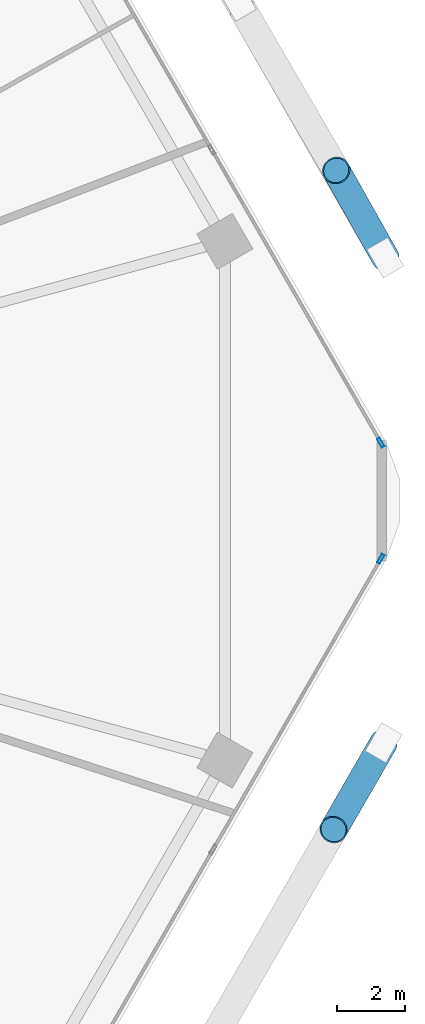
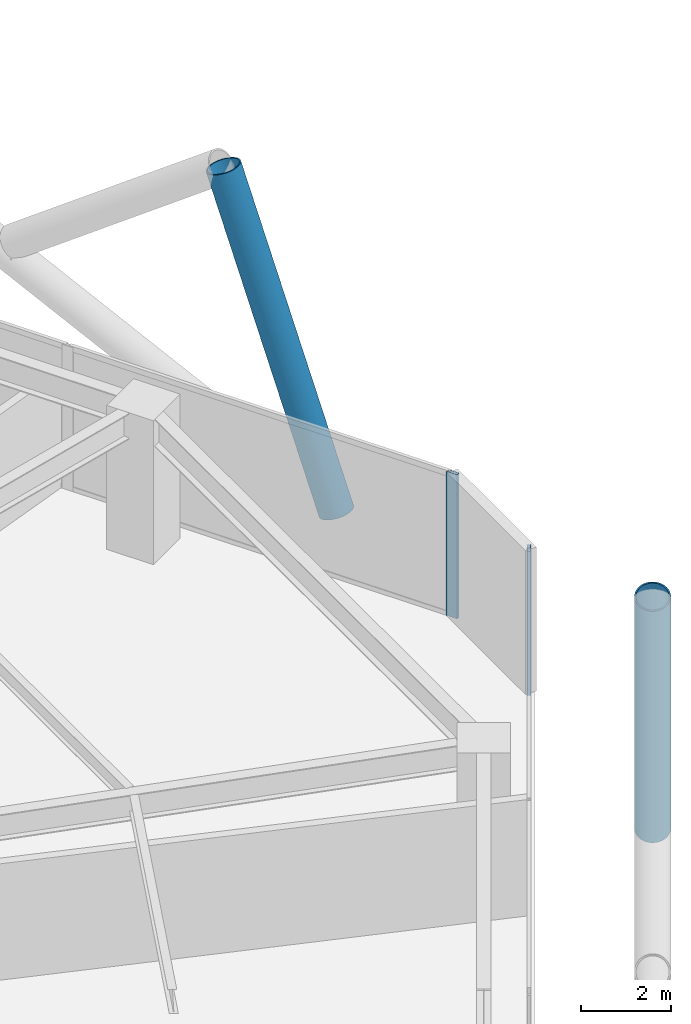
# One storey, part 23 of 28: 4 members, 2 elements without a shape of their own.
"""IFC4 building model written with IfcOpenShell, lengths in metres."""

from ifc_helpers import new_model, si_unit, direction, frame, origin, origin_2d, place, context, subcontext, project, spatial, hollow_rectangle, hollow_circle, extrude, material, material_profile, profile_set, type_object, element, aggregate, save


model = new_model("IFC4")

# Units and contexts
model_context = context("Model", 3, precision=1e-05, world=origin(), true_north=direction((0.0, 1.0)))
body_context = subcontext(model_context, "Body", "Model", "MODEL_VIEW")
ifc_project = project(units=[si_unit("LENGTHUNIT", "METRE"), si_unit("AREAUNIT", "SQUARE_METRE"), si_unit("VOLUMEUNIT", "CUBIC_METRE"), si_unit("PLANEANGLEUNIT", "RADIAN"), si_unit("MASSUNIT", "GRAM", prefix="KILO")], contexts=[model_context])

# Site, building, storey
site_placement = place(None, origin())
site = spatial("IfcSite", under=ifc_project, at=site_placement, CompositionType="ELEMENT")
building_placement = place(site_placement, origin())
building = spatial("IfcBuilding", under=site, at=building_placement, Name="Zuhravey Tower", CompositionType="ELEMENT")
storey_placement = place(building_placement, frame((0.0, 0.0, 24.60009765625)))
storey = spatial("IfcBuildingStorey", under=building, at=storey_placement, Name="L06", CompositionType="ELEMENT", Elevation=24.60009765625)

# Curtain wall, member
ifc_material_1 = material(Name="Thermally broken anodised aluminium", Category="aluminium")
curtain_wall_type = type_object("IfcCurtainWallType", Name="School Low-E Unitised Curtain Wall CW1", PredefinedType="NOTDEFINED", material=ifc_material_1)
curtain_wall_1_placement = place(storey_placement, origin())
curtain_wall_1 = element("IfcCurtainWall", 1, at=curtain_wall_1_placement, inside=storey, type_object=curtain_wall_type, Name="L06 CW1 CW-L06-F6-1", PredefinedType="NOTDEFINED")
ifc_material_2 = material(Name="Anodised aluminium", Category="aluminium")
ifc_material_profile_1 = material_profile(ifc_material_2, hollow_rectangle(XDim=0.090087890625, YDim=0.284912109375, WallThickness=0.0048828125, at=origin_2d()), Name="ALU-RHS-90x285x5")
ifc_profile_set_1 = profile_set([ifc_material_profile_1], Name="Anodised aluminium")
member_type_1 = type_object("IfcMemberType", Name="Curtain-Wall Mullion 90x180", PredefinedType="MULLION", material=ifc_profile_set_1)
member_1_placement = place(storey_placement, frame((68.4560546875, 30.298583984375, 0.0), z_axis=(0.0, 0.0, 1.0), x_axis=(0.86602552265, -0.499999794119, 0.0)))
member_1 = element("IfcMember", 2, at=member_1_placement, type_object=member_type_1, Name="CW1 mullion 1", PredefinedType="MULLION", context=body_context, shape_type="SweptSolid", body=[
    extrude(hollow_rectangle(XDim=0.090087890625, YDim=0.284912109375, WallThickness=0.0048828125, at=origin_2d()), origin(), (0.0, 0.0, 1.0), 3.919921875),
])
aggregate(curtain_wall_1, [member_1])

curtain_wall_2_placement = place(storey_placement, origin())
curtain_wall_2 = element("IfcCurtainWall", 3, at=curtain_wall_2_placement, inside=storey, type_object=curtain_wall_type, Name="L06 CW1 CW-L06-F1-2", PredefinedType="NOTDEFINED")
member_2_placement = place(storey_placement, frame((68.4560546875, 33.701416015625, 0.0), z_axis=(0.0, 0.0, 1.0), x_axis=(0.866025056944, 0.500000600745, 0.0)))
member_2 = element("IfcMember", 4, at=member_2_placement, type_object=member_type_1, Name="CW1 mullion 3", PredefinedType="MULLION", context=body_context, shape_type="SweptSolid", body=[
    extrude(hollow_rectangle(XDim=0.090087890625, YDim=0.284912109375, WallThickness=0.0048828125, at=origin_2d()), origin(), (0.0, 0.0, 1.0), 3.919921875),
])
aggregate(curtain_wall_2, [member_2])

# Members
ifc_material_3 = material(Name="Steel SM460", Category="steel")
ifc_material_profile_2 = material_profile(ifc_material_3, hollow_circle(Radius=0.406494140625, WallThickness=0.035888671875, at=origin_2d()), Name="CHS-812.8x36")
ifc_profile_set_2 = profile_set([ifc_material_profile_2], Name="Steel SM460")
member_type_2 = type_object("IfcMemberType", Name="Exoskeleton Zone 1 Diagrid CHS813x36", PredefinedType="BRACE", material=ifc_profile_set_2)
for number, where, z_axis, x_axis, name in (
    (5, (68.58544921875, 39.1171875, -0.47216796875), (-0.162383773974, 0.288038869576, 0.943750560033), (-0.871107455363, -0.491092456886, 0.0), "L06 Face 1 Diagrid Brace 1"),
    (6, (68.533447265625, 24.912841796875, -0.47216796875), (-0.165307317227, -0.286358046605, 0.943754501984), (0.866053660865, -0.499951054106, 0.0), "L06 Face 6 Diagrid Brace 4"),
):
    element("IfcMember", number, at=place(storey_placement, frame(where, z_axis=z_axis, x_axis=x_axis)), inside=storey, type_object=member_type_2, Name=name, PredefinedType="BRACE", context=body_context, shape_type="SweptSolid", body=[
        extrude(hollow_circle(Radius=0.406494140625, WallThickness=0.035888671875, at=origin_2d()), origin(), (0.0, 0.0, 1.0), 8.85400390625),
    ])

save(model, "model.ifc")
